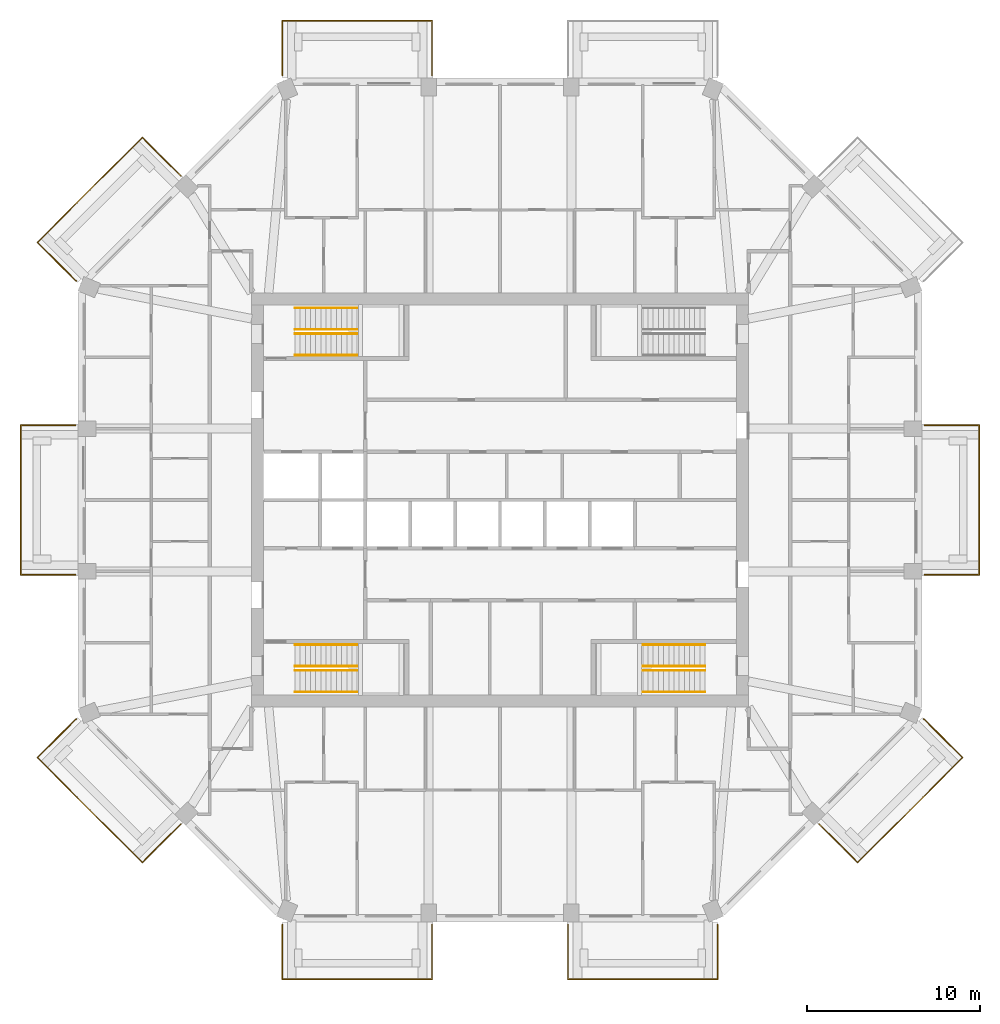
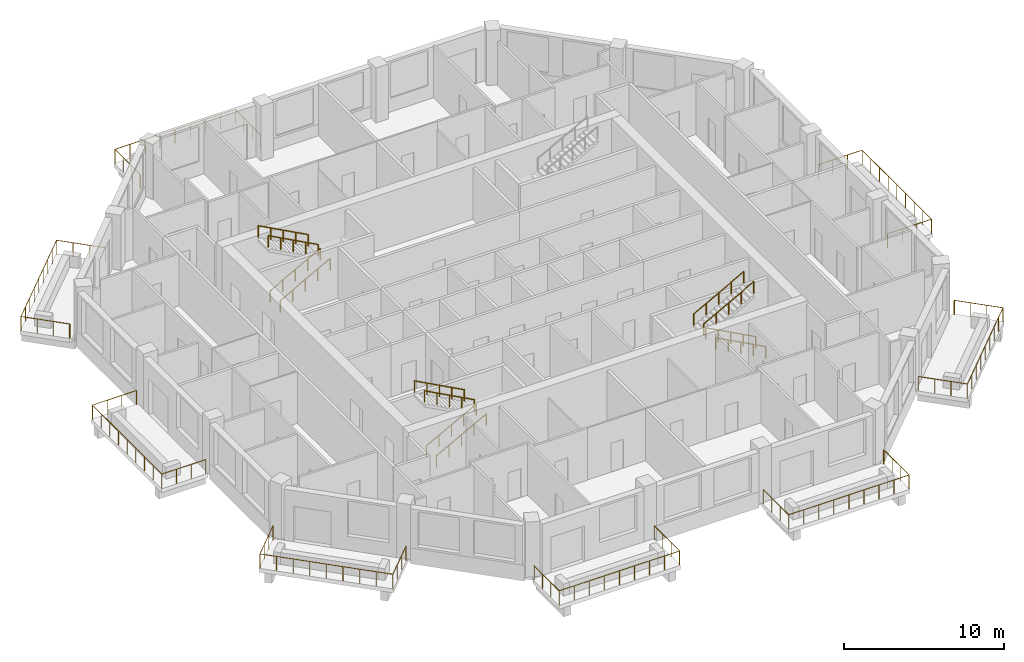
# One storey, part 11 of 12: 20 railings.
"""IFC4 building model written with IfcOpenShell, lengths in metres."""

from ifc_helpers import new_model, si_unit, direction, frame, origin, origin_2d, place, context, subcontext, project, spatial, circle, extrude, material, constituent, constituent_set, type_object, element, save


model = new_model("IFC4")

# Units and contexts
model_context = context("Model", 3, precision=1e-05, world=origin(), true_north=direction((0.0, 1.0)))
body_context = subcontext(model_context, "Body", "Model", "MODEL_VIEW")
ifc_project = project(units=[si_unit("LENGTHUNIT", "METRE"), si_unit("AREAUNIT", "SQUARE_METRE"), si_unit("VOLUMEUNIT", "CUBIC_METRE"), si_unit("PLANEANGLEUNIT", "RADIAN"), si_unit("MASSUNIT", "GRAM", prefix="KILO")], contexts=[model_context])

# Site, building, storey
site_placement = place(None, origin())
site = spatial("IfcSite", under=ifc_project, at=site_placement, CompositionType="ELEMENT")
building_placement = place(site_placement, origin())
building = spatial("IfcBuilding", under=site, at=building_placement, Name="Msitu Wima Residences", CompositionType="ELEMENT")
storey_placement = place(building_placement, frame((0.0, 0.0, 179.10009765625)))
storey = spatial("IfcBuildingStorey", under=building, at=storey_placement, Name="L41", CompositionType="ELEMENT", Elevation=179.10009765625)

# Railings
ifc_material_1 = material(Name="Steel S355", Category="steel")
ifc_constituent_1 = constituent(ifc_material_1, Name="Steel S355")
ifc_material_2 = material(Name="Weathering patina")
ifc_constituent_2 = constituent(ifc_material_2, Name="Weathering patina")
ifc_constituent_set_1 = constituent_set(constituents=[ifc_constituent_1, ifc_constituent_2], Name="Steel S355")
railing_type_1 = type_object("IfcRailingType", Name="Balcony guard GR1100", PredefinedType="GUARDRAIL", material=ifc_constituent_set_1)
railing_1_placement = place(storey_placement, frame((24.580078125, 4.337158203125, 0.0)))
element("IfcRailing", 1, at=railing_1_placement, inside=storey, type_object=railing_type_1, Name="Balcony guard E1 L41", PredefinedType="GUARDRAIL", context=body_context, shape_type="SweptSolid", body=[
    extrude(circle(Radius=0.02392578125, at=origin_2d()), frame((0.0, 0.0, 1.076171875), z_axis=(1.0, 0.0, 0.0), x_axis=(0.0, 1.0, 0.0)), (0.0, 0.0, 1.0), 3.169921875),
    extrude(circle(Radius=0.02392578125, at=origin_2d()), frame((3.169921875, 0.0, 1.076171875), z_axis=(0.0, -1.0, 0.0), x_axis=(1.0, 0.0, 0.0)), (0.0, 0.0, 1.0), 8.67431640625),
    extrude(circle(Radius=0.02392578125, at=origin_2d()), frame((3.169921875, -8.67431640625, 1.076171875), z_axis=(-1.0, 0.0, 0.0), x_axis=(0.0, -1.0, 0.0)), (0.0, 0.0, 1.0), 3.169921875),
    extrude(circle(Radius=0.02099609375, at=origin_2d()), origin(), (0.0, 0.0, 1.0), 1.052001953125),
    extrude(circle(Radius=0.02099609375, at=origin_2d()), frame((1.056640625, 0.0, 0.0)), (0.0, 0.0, 1.0), 1.052001953125),
    extrude(circle(Radius=0.02099609375, at=origin_2d()), frame((2.11328125, 0.0, 0.0)), (0.0, 0.0, 1.0), 1.052001953125),
    extrude(circle(Radius=0.02099609375, at=origin_2d()), frame((3.169921875, 0.0, 0.0)), (0.0, 0.0, 1.0), 1.052001953125),
    extrude(circle(Radius=0.02099609375, at=origin_2d()), frame((3.169921875, -1.084228515625, 0.0)), (0.0, 0.0, 1.0), 1.052001953125),
    extrude(circle(Radius=0.02099609375, at=origin_2d()), frame((3.169921875, -2.16845703125, 0.0)), (0.0, 0.0, 1.0), 1.052001953125),
    extrude(circle(Radius=0.02099609375, at=origin_2d()), frame((3.169921875, -3.2529296875, 0.0)), (0.0, 0.0, 1.0), 1.052001953125),
    extrude(circle(Radius=0.02099609375, at=origin_2d()), frame((3.169921875, -4.337158203125, 0.0)), (0.0, 0.0, 1.0), 1.052001953125),
    extrude(circle(Radius=0.02099609375, at=origin_2d()), frame((3.169921875, -5.42138671875, 0.0)), (0.0, 0.0, 1.0), 1.052001953125),
    extrude(circle(Radius=0.02099609375, at=origin_2d()), frame((3.169921875, -6.505859375, 0.0)), (0.0, 0.0, 1.0), 1.052001953125),
    extrude(circle(Radius=0.02099609375, at=origin_2d()), frame((3.169921875, -7.590087890625, 0.0)), (0.0, 0.0, 1.0), 1.052001953125),
    extrude(circle(Radius=0.02099609375, at=origin_2d()), frame((3.169921875, -8.67431640625, 0.0)), (0.0, 0.0, 1.0), 1.052001953125),
    extrude(circle(Radius=0.02099609375, at=origin_2d()), frame((2.11328125, -8.67431640625, 0.0)), (0.0, 0.0, 1.0), 1.052001953125),
    extrude(circle(Radius=0.02099609375, at=origin_2d()), frame((1.056640625, -8.67431640625, 0.0)), (0.0, 0.0, 1.0), 1.052001953125),
    extrude(circle(Radius=0.02099609375, at=origin_2d()), frame((0.0, -8.67431640625, 0.0)), (0.0, 0.0, 1.0), 1.052001953125),
])
railing_2_placement = place(storey_placement, frame((-12.597900390625, 24.580078125, 0.0)))
element("IfcRailing", 2, at=railing_2_placement, inside=storey, type_object=railing_type_1, Name="Balcony guard N2 L41", PredefinedType="GUARDRAIL", context=body_context, shape_type="SweptSolid", body=[
    extrude(circle(Radius=0.02392578125, at=origin_2d()), frame((0.0, 0.0, 1.076171875), z_axis=(-0.384136806859, 0.923276184907, 0.0), x_axis=(-0.923276184907, -0.384136806859, 0.0)), (0.0, 0.0, 1.0), 0.0361328125),
    extrude(circle(Radius=0.02392578125, at=origin_2d()), frame((-0.013916015625, 0.033447265625, 1.076171875), z_axis=(0.0, 1.0, 0.0), x_axis=(-1.0, 0.0, 0.0)), (0.0, 0.0, 1.0), 3.136474609375),
    extrude(circle(Radius=0.02392578125, at=origin_2d()), frame((-0.013916015625, 3.169921875, 1.076171875), z_axis=(1.0, 0.0, 0.0), x_axis=(0.0, 1.0, 0.0)), (0.0, 0.0, 1.0), 8.674560546875),
    extrude(circle(Radius=0.02392578125, at=origin_2d()), frame((8.66064453125, 3.169921875, 1.076171875), z_axis=(0.0, -1.0, 0.0), x_axis=(1.0, 0.0, 0.0)), (0.0, 0.0, 1.0), 3.169921875),
    extrude(circle(Radius=0.02099609375, at=origin_2d()), origin(), (0.0, 0.0, 1.0), 1.052001953125),
    extrude(circle(Radius=0.02099609375, at=origin_2d()), frame((-0.013916015625, 0.033447265625, 0.0)), (0.0, 0.0, 1.0), 1.052001953125),
    extrude(circle(Radius=0.02099609375, at=origin_2d()), frame((-0.013916015625, 1.078857421875, 0.0)), (0.0, 0.0, 1.0), 1.052001953125),
    extrude(circle(Radius=0.02099609375, at=origin_2d()), frame((-0.013916015625, 2.12451171875, 0.0)), (0.0, 0.0, 1.0), 1.052001953125),
    extrude(circle(Radius=0.02099609375, at=origin_2d()), frame((-0.013916015625, 3.169921875, 0.0)), (0.0, 0.0, 1.0), 1.052001953125),
    extrude(circle(Radius=0.02099609375, at=origin_2d()), frame((1.0703125, 3.169921875, 0.0)), (0.0, 0.0, 1.0), 1.052001953125),
    extrude(circle(Radius=0.02099609375, at=origin_2d()), frame((2.15478515625, 3.169921875, 0.0)), (0.0, 0.0, 1.0), 1.052001953125),
    extrude(circle(Radius=0.02099609375, at=origin_2d()), frame((3.239013671875, 3.169921875, 0.0)), (0.0, 0.0, 1.0), 1.052001953125),
    extrude(circle(Radius=0.02099609375, at=origin_2d()), frame((4.3232421875, 3.169921875, 0.0)), (0.0, 0.0, 1.0), 1.052001953125),
    extrude(circle(Radius=0.02099609375, at=origin_2d()), frame((5.40771484375, 3.169921875, 0.0)), (0.0, 0.0, 1.0), 1.052001953125),
    extrude(circle(Radius=0.02099609375, at=origin_2d()), frame((6.491943359375, 3.169921875, 0.0)), (0.0, 0.0, 1.0), 1.052001953125),
    extrude(circle(Radius=0.02099609375, at=origin_2d()), frame((7.576416015625, 3.169921875, 0.0)), (0.0, 0.0, 1.0), 1.052001953125),
    extrude(circle(Radius=0.02099609375, at=origin_2d()), frame((8.66064453125, 3.169921875, 0.0)), (0.0, 0.0, 1.0), 1.052001953125),
    extrude(circle(Radius=0.02099609375, at=origin_2d()), frame((8.66064453125, 2.11328125, 0.0)), (0.0, 0.0, 1.0), 1.052001953125),
    extrude(circle(Radius=0.02099609375, at=origin_2d()), frame((8.66064453125, 1.056640625, 0.0)), (0.0, 0.0, 1.0), 1.052001953125),
    extrude(circle(Radius=0.02099609375, at=origin_2d()), frame((8.66064453125, 0.0, 0.0)), (0.0, 0.0, 1.0), 1.052001953125),
])
railing_3_placement = place(storey_placement, frame((-24.541748046875, 12.690185546875, 0.0)))
element("IfcRailing", 3, at=railing_3_placement, inside=storey, type_object=railing_type_1, Name="Balcony guard NW1 L41", PredefinedType="GUARDRAIL", context=body_context, shape_type="SweptSolid", body=[
    extrude(circle(Radius=0.02392578125, at=origin_2d()), frame((0.0, 0.0, 1.076171875), z_axis=(-0.923276184907, 0.384136806859, 0.0), x_axis=(-0.384136806859, -0.923276184907, 0.0)), (0.0, 0.0, 1.0), 0.0361328125),
    extrude(circle(Radius=0.02392578125, at=origin_2d()), frame((-0.033447265625, 0.013916015625, 1.076171875), z_axis=(-0.707067861805, 0.707145698426, 0.0), x_axis=(-0.707145698426, -0.707067861805, 0.0)), (0.0, 0.0, 1.0), 3.136474609375),
    extrude(circle(Radius=0.02392578125, at=origin_2d()), frame((-2.251220703125, 2.23193359375, 1.076171875), z_axis=(0.707106781187, 0.707106781187, 0.0), x_axis=(-0.707106781187, 0.707106781187, 0.0)), (0.0, 0.0, 1.0), 8.593994140625),
    extrude(circle(Radius=0.02392578125, at=origin_2d()), frame((3.82568359375, 8.308837890625, 1.076171875), z_axis=(0.707068272989, -0.707145287287, 0.0), x_axis=(0.707145287287, 0.707068272989, 0.0)), (0.0, 0.0, 1.0), 3.170166015625),
    extrude(circle(Radius=0.02099609375, at=origin_2d()), origin(), (0.0, 0.0, 1.0), 1.052001953125),
    extrude(circle(Radius=0.02099609375, at=origin_2d()), frame((-0.033447265625, 0.013916015625, 0.0)), (0.0, 0.0, 1.0), 1.052001953125),
    extrude(circle(Radius=0.02099609375, at=origin_2d()), frame((-0.772705078125, 0.753173828125, 0.0)), (0.0, 0.0, 1.0), 1.052001953125),
    extrude(circle(Radius=0.02099609375, at=origin_2d()), frame((-1.511962890625, 1.49267578125, 0.0)), (0.0, 0.0, 1.0), 1.052001953125),
    extrude(circle(Radius=0.02099609375, at=origin_2d()), frame((-2.251220703125, 2.23193359375, 0.0)), (0.0, 0.0, 1.0), 1.052001953125),
    extrude(circle(Radius=0.02099609375, at=origin_2d()), frame((-1.49169921875, 2.991455078125, 0.0)), (0.0, 0.0, 1.0), 1.052001953125),
    extrude(circle(Radius=0.02099609375, at=origin_2d()), frame((-0.73193359375, 3.751220703125, 0.0)), (0.0, 0.0, 1.0), 1.052001953125),
    extrude(circle(Radius=0.02099609375, at=origin_2d()), frame((0.027587890625, 4.5107421875, 0.0)), (0.0, 0.0, 1.0), 1.052001953125),
    extrude(circle(Radius=0.02099609375, at=origin_2d()), frame((0.787109375, 5.2705078125, 0.0)), (0.0, 0.0, 1.0), 1.052001953125),
    extrude(circle(Radius=0.02099609375, at=origin_2d()), frame((1.546875, 6.030029296875, 0.0)), (0.0, 0.0, 1.0), 1.052001953125),
    extrude(circle(Radius=0.02099609375, at=origin_2d()), frame((2.306396484375, 6.78955078125, 0.0)), (0.0, 0.0, 1.0), 1.052001953125),
    extrude(circle(Radius=0.02099609375, at=origin_2d()), frame((3.066162109375, 7.54931640625, 0.0)), (0.0, 0.0, 1.0), 1.052001953125),
    extrude(circle(Radius=0.02099609375, at=origin_2d()), frame((3.82568359375, 8.308837890625, 0.0)), (0.0, 0.0, 1.0), 1.052001953125),
    extrude(circle(Radius=0.02099609375, at=origin_2d()), frame((4.57275390625, 7.5615234375, 0.0)), (0.0, 0.0, 1.0), 1.052001953125),
    extrude(circle(Radius=0.02099609375, at=origin_2d()), frame((5.320068359375, 6.814453125, 0.0)), (0.0, 0.0, 1.0), 1.052001953125),
    extrude(circle(Radius=0.02099609375, at=origin_2d()), frame((6.067138671875, 6.067138671875, 0.0)), (0.0, 0.0, 1.0), 1.052001953125),
])
railing_4_placement = place(storey_placement, frame((-24.580078125, -4.337158203125, 0.0)))
element("IfcRailing", 4, at=railing_4_placement, inside=storey, type_object=railing_type_1, Name="Balcony guard W1 L41", PredefinedType="GUARDRAIL", context=body_context, shape_type="SweptSolid", body=[
    extrude(circle(Radius=0.02392578125, at=origin_2d()), frame((0.0, 0.0, 1.076171875), z_axis=(-1.0, 0.0, 0.0), x_axis=(0.0, -1.0, 0.0)), (0.0, 0.0, 1.0), 3.169921875),
    extrude(circle(Radius=0.02392578125, at=origin_2d()), frame((-3.169921875, 0.0, 1.076171875), z_axis=(0.0, 1.0, 0.0), x_axis=(-1.0, 0.0, 0.0)), (0.0, 0.0, 1.0), 8.67431640625),
    extrude(circle(Radius=0.02392578125, at=origin_2d()), frame((-3.169921875, 8.67431640625, 1.076171875), z_axis=(1.0, 0.0, 0.0), x_axis=(0.0, 1.0, 0.0)), (0.0, 0.0, 1.0), 3.169921875),
    extrude(circle(Radius=0.02099609375, at=origin_2d()), origin(), (0.0, 0.0, 1.0), 1.052001953125),
    extrude(circle(Radius=0.02099609375, at=origin_2d()), frame((-1.056640625, 0.0, 0.0)), (0.0, 0.0, 1.0), 1.052001953125),
    extrude(circle(Radius=0.02099609375, at=origin_2d()), frame((-2.11328125, 0.0, 0.0)), (0.0, 0.0, 1.0), 1.052001953125),
    extrude(circle(Radius=0.02099609375, at=origin_2d()), frame((-3.169921875, 0.0, 0.0)), (0.0, 0.0, 1.0), 1.052001953125),
    extrude(circle(Radius=0.02099609375, at=origin_2d()), frame((-3.169921875, 1.084228515625, 0.0)), (0.0, 0.0, 1.0), 1.052001953125),
    extrude(circle(Radius=0.02099609375, at=origin_2d()), frame((-3.169921875, 2.16845703125, 0.0)), (0.0, 0.0, 1.0), 1.052001953125),
    extrude(circle(Radius=0.02099609375, at=origin_2d()), frame((-3.169921875, 3.2529296875, 0.0)), (0.0, 0.0, 1.0), 1.052001953125),
    extrude(circle(Radius=0.02099609375, at=origin_2d()), frame((-3.169921875, 4.337158203125, 0.0)), (0.0, 0.0, 1.0), 1.052001953125),
    extrude(circle(Radius=0.02099609375, at=origin_2d()), frame((-3.169921875, 5.42138671875, 0.0)), (0.0, 0.0, 1.0), 1.052001953125),
    extrude(circle(Radius=0.02099609375, at=origin_2d()), frame((-3.169921875, 6.505859375, 0.0)), (0.0, 0.0, 1.0), 1.052001953125),
    extrude(circle(Radius=0.02099609375, at=origin_2d()), frame((-3.169921875, 7.590087890625, 0.0)), (0.0, 0.0, 1.0), 1.052001953125),
    extrude(circle(Radius=0.02099609375, at=origin_2d()), frame((-3.169921875, 8.67431640625, 0.0)), (0.0, 0.0, 1.0), 1.052001953125),
    extrude(circle(Radius=0.02099609375, at=origin_2d()), frame((-2.11328125, 8.67431640625, 0.0)), (0.0, 0.0, 1.0), 1.052001953125),
    extrude(circle(Radius=0.02099609375, at=origin_2d()), frame((-1.056640625, 8.67431640625, 0.0)), (0.0, 0.0, 1.0), 1.052001953125),
    extrude(circle(Radius=0.02099609375, at=origin_2d()), frame((0.0, 8.67431640625, 0.0)), (0.0, 0.0, 1.0), 1.052001953125),
])
railing_5_placement = place(storey_placement, frame((-18.474609375, -18.75732421875, 0.0)))
element("IfcRailing", 5, at=railing_5_placement, inside=storey, type_object=railing_type_1, Name="Balcony guard SW0 L41", PredefinedType="GUARDRAIL", context=body_context, shape_type="SweptSolid", body=[
    extrude(circle(Radius=0.02392578125, at=origin_2d()), frame((0.0, 0.0, 1.076171875), z_axis=(-0.707068272989, -0.707145287287, 0.0), x_axis=(0.707145287287, -0.707068272989, 0.0)), (0.0, 0.0, 1.0), 3.170166015625),
    extrude(circle(Radius=0.02392578125, at=origin_2d()), frame((-2.241455078125, -2.24169921875, 1.076171875), z_axis=(-0.707106781187, 0.707106781187, 0.0), x_axis=(-0.707106781187, -0.707106781187, 0.0)), (0.0, 0.0, 1.0), 8.593994140625),
    extrude(circle(Radius=0.02392578125, at=origin_2d()), frame((-8.318359375, 3.835205078125, 1.076171875), z_axis=(0.707067861805, 0.707145698426, 0.0), x_axis=(-0.707145698426, 0.707067861805, 0.0)), (0.0, 0.0, 1.0), 3.136474609375),
    extrude(circle(Radius=0.02392578125, at=origin_2d()), frame((-6.1005859375, 6.05322265625, 1.076171875), z_axis=(0.923276184907, 0.384136806859, 0.0), x_axis=(-0.384136806859, 0.923276184907, 0.0)), (0.0, 0.0, 1.0), 0.0361328125),
    extrude(circle(Radius=0.02099609375, at=origin_2d()), origin(), (0.0, 0.0, 1.0), 1.052001953125),
    extrude(circle(Radius=0.02099609375, at=origin_2d()), frame((-0.7470703125, -0.747314453125, 0.0)), (0.0, 0.0, 1.0), 1.052001953125),
    extrude(circle(Radius=0.02099609375, at=origin_2d()), frame((-1.494384765625, -1.494384765625, 0.0)), (0.0, 0.0, 1.0), 1.052001953125),
    extrude(circle(Radius=0.02099609375, at=origin_2d()), frame((-2.241455078125, -2.24169921875, 0.0)), (0.0, 0.0, 1.0), 1.052001953125),
    extrude(circle(Radius=0.02099609375, at=origin_2d()), frame((-3.0009765625, -1.482177734375, 0.0)), (0.0, 0.0, 1.0), 1.052001953125),
    extrude(circle(Radius=0.02099609375, at=origin_2d()), frame((-3.7607421875, -0.722412109375, 0.0)), (0.0, 0.0, 1.0), 1.052001953125),
    extrude(circle(Radius=0.02099609375, at=origin_2d()), frame((-4.520263671875, 0.037109375, 0.0)), (0.0, 0.0, 1.0), 1.052001953125),
    extrude(circle(Radius=0.02099609375, at=origin_2d()), frame((-5.27978515625, 0.796875, 0.0)), (0.0, 0.0, 1.0), 1.052001953125),
    extrude(circle(Radius=0.02099609375, at=origin_2d()), frame((-6.03955078125, 1.556396484375, 0.0)), (0.0, 0.0, 1.0), 1.052001953125),
    extrude(circle(Radius=0.02099609375, at=origin_2d()), frame((-6.799072265625, 2.31591796875, 0.0)), (0.0, 0.0, 1.0), 1.052001953125),
    extrude(circle(Radius=0.02099609375, at=origin_2d()), frame((-7.558837890625, 3.07568359375, 0.0)), (0.0, 0.0, 1.0), 1.052001953125),
    extrude(circle(Radius=0.02099609375, at=origin_2d()), frame((-8.318359375, 3.835205078125, 0.0)), (0.0, 0.0, 1.0), 1.052001953125),
    extrude(circle(Radius=0.02099609375, at=origin_2d()), frame((-7.5791015625, 4.574462890625, 0.0)), (0.0, 0.0, 1.0), 1.052001953125),
    extrude(circle(Radius=0.02099609375, at=origin_2d()), frame((-6.83984375, 5.31396484375, 0.0)), (0.0, 0.0, 1.0), 1.052001953125),
    extrude(circle(Radius=0.02099609375, at=origin_2d()), frame((-6.1005859375, 6.05322265625, 0.0)), (0.0, 0.0, 1.0), 1.052001953125),
    extrude(circle(Radius=0.02099609375, at=origin_2d()), frame((-6.067138671875, 6.067138671875, 0.0)), (0.0, 0.0, 1.0), 1.052001953125),
])
railing_6_placement = place(storey_placement, frame((-3.937255859375, -24.580078125, 0.0)))
element("IfcRailing", 6, at=railing_6_placement, inside=storey, type_object=railing_type_1, Name="Balcony guard S0 L41", PredefinedType="GUARDRAIL", context=body_context, shape_type="SweptSolid", body=[
    extrude(circle(Radius=0.02392578125, at=origin_2d()), frame((0.0, 0.0, 1.076171875), z_axis=(0.0, -1.0, 0.0), x_axis=(1.0, 0.0, 0.0)), (0.0, 0.0, 1.0), 3.169921875),
    extrude(circle(Radius=0.02392578125, at=origin_2d()), frame((0.0, -3.169921875, 1.076171875), z_axis=(-1.0, 0.0, 0.0), x_axis=(0.0, -1.0, 0.0)), (0.0, 0.0, 1.0), 8.674560546875),
    extrude(circle(Radius=0.02392578125, at=origin_2d()), frame((-8.674560546875, -3.169921875, 1.076171875), z_axis=(0.0, 1.0, 0.0), x_axis=(-1.0, 0.0, 0.0)), (0.0, 0.0, 1.0), 3.136474609375),
    extrude(circle(Radius=0.02392578125, at=origin_2d()), frame((-8.674560546875, -0.033447265625, 1.076171875), z_axis=(0.384136806859, 0.923276184907, 0.0), x_axis=(-0.923276184907, 0.384136806859, 0.0)), (0.0, 0.0, 1.0), 0.0361328125),
    extrude(circle(Radius=0.02099609375, at=origin_2d()), origin(), (0.0, 0.0, 1.0), 1.052001953125),
    extrude(circle(Radius=0.02099609375, at=origin_2d()), frame((0.0, -1.056640625, 0.0)), (0.0, 0.0, 1.0), 1.052001953125),
    extrude(circle(Radius=0.02099609375, at=origin_2d()), frame((0.0, -2.11328125, 0.0)), (0.0, 0.0, 1.0), 1.052001953125),
    extrude(circle(Radius=0.02099609375, at=origin_2d()), frame((0.0, -3.169921875, 0.0)), (0.0, 0.0, 1.0), 1.052001953125),
    extrude(circle(Radius=0.02099609375, at=origin_2d()), frame((-1.084228515625, -3.169921875, 0.0)), (0.0, 0.0, 1.0), 1.052001953125),
    extrude(circle(Radius=0.02099609375, at=origin_2d()), frame((-2.168701171875, -3.169921875, 0.0)), (0.0, 0.0, 1.0), 1.052001953125),
    extrude(circle(Radius=0.02099609375, at=origin_2d()), frame((-3.2529296875, -3.169921875, 0.0)), (0.0, 0.0, 1.0), 1.052001953125),
    extrude(circle(Radius=0.02099609375, at=origin_2d()), frame((-4.33740234375, -3.169921875, 0.0)), (0.0, 0.0, 1.0), 1.052001953125),
    extrude(circle(Radius=0.02099609375, at=origin_2d()), frame((-5.421630859375, -3.169921875, 0.0)), (0.0, 0.0, 1.0), 1.052001953125),
    extrude(circle(Radius=0.02099609375, at=origin_2d()), frame((-6.505859375, -3.169921875, 0.0)), (0.0, 0.0, 1.0), 1.052001953125),
    extrude(circle(Radius=0.02099609375, at=origin_2d()), frame((-7.59033203125, -3.169921875, 0.0)), (0.0, 0.0, 1.0), 1.052001953125),
    extrude(circle(Radius=0.02099609375, at=origin_2d()), frame((-8.674560546875, -3.169921875, 0.0)), (0.0, 0.0, 1.0), 1.052001953125),
    extrude(circle(Radius=0.02099609375, at=origin_2d()), frame((-8.674560546875, -2.12451171875, 0.0)), (0.0, 0.0, 1.0), 1.052001953125),
    extrude(circle(Radius=0.02099609375, at=origin_2d()), frame((-8.674560546875, -1.078857421875, 0.0)), (0.0, 0.0, 1.0), 1.052001953125),
    extrude(circle(Radius=0.02099609375, at=origin_2d()), frame((-8.674560546875, -0.033447265625, 0.0)), (0.0, 0.0, 1.0), 1.052001953125),
    extrude(circle(Radius=0.02099609375, at=origin_2d()), frame((-8.66064453125, 0.0, 0.0)), (0.0, 0.0, 1.0), 1.052001953125),
])
railing_7_placement = place(storey_placement, frame((12.597900390625, -24.580078125, 0.0)))
element("IfcRailing", 7, at=railing_7_placement, inside=storey, type_object=railing_type_1, Name="Balcony guard S2 L41", PredefinedType="GUARDRAIL", context=body_context, shape_type="SweptSolid", body=[
    extrude(circle(Radius=0.02392578125, at=origin_2d()), frame((0.0, 0.0, 1.076171875), z_axis=(0.384136806859, -0.923276184907, 0.0), x_axis=(0.923276184907, 0.384136806859, 0.0)), (0.0, 0.0, 1.0), 0.0361328125),
    extrude(circle(Radius=0.02392578125, at=origin_2d()), frame((0.013916015625, -0.033447265625, 1.076171875), z_axis=(0.0, -1.0, 0.0), x_axis=(1.0, 0.0, 0.0)), (0.0, 0.0, 1.0), 3.136474609375),
    extrude(circle(Radius=0.02392578125, at=origin_2d()), frame((0.013916015625, -3.169921875, 1.076171875), z_axis=(-1.0, 0.0, 0.0), x_axis=(0.0, -1.0, 0.0)), (0.0, 0.0, 1.0), 8.674560546875),
    extrude(circle(Radius=0.02392578125, at=origin_2d()), frame((-8.66064453125, -3.169921875, 1.076171875), z_axis=(0.0, 1.0, 0.0), x_axis=(-1.0, 0.0, 0.0)), (0.0, 0.0, 1.0), 3.169921875),
    extrude(circle(Radius=0.02099609375, at=origin_2d()), origin(), (0.0, 0.0, 1.0), 1.052001953125),
    extrude(circle(Radius=0.02099609375, at=origin_2d()), frame((0.013916015625, -0.033447265625, 0.0)), (0.0, 0.0, 1.0), 1.052001953125),
    extrude(circle(Radius=0.02099609375, at=origin_2d()), frame((0.013916015625, -1.078857421875, 0.0)), (0.0, 0.0, 1.0), 1.052001953125),
    extrude(circle(Radius=0.02099609375, at=origin_2d()), frame((0.013916015625, -2.12451171875, 0.0)), (0.0, 0.0, 1.0), 1.052001953125),
    extrude(circle(Radius=0.02099609375, at=origin_2d()), frame((0.013916015625, -3.169921875, 0.0)), (0.0, 0.0, 1.0), 1.052001953125),
    extrude(circle(Radius=0.02099609375, at=origin_2d()), frame((-1.0703125, -3.169921875, 0.0)), (0.0, 0.0, 1.0), 1.052001953125),
    extrude(circle(Radius=0.02099609375, at=origin_2d()), frame((-2.15478515625, -3.169921875, 0.0)), (0.0, 0.0, 1.0), 1.052001953125),
    extrude(circle(Radius=0.02099609375, at=origin_2d()), frame((-3.239013671875, -3.169921875, 0.0)), (0.0, 0.0, 1.0), 1.052001953125),
    extrude(circle(Radius=0.02099609375, at=origin_2d()), frame((-4.3232421875, -3.169921875, 0.0)), (0.0, 0.0, 1.0), 1.052001953125),
    extrude(circle(Radius=0.02099609375, at=origin_2d()), frame((-5.40771484375, -3.169921875, 0.0)), (0.0, 0.0, 1.0), 1.052001953125),
    extrude(circle(Radius=0.02099609375, at=origin_2d()), frame((-6.491943359375, -3.169921875, 0.0)), (0.0, 0.0, 1.0), 1.052001953125),
    extrude(circle(Radius=0.02099609375, at=origin_2d()), frame((-7.576416015625, -3.169921875, 0.0)), (0.0, 0.0, 1.0), 1.052001953125),
    extrude(circle(Radius=0.02099609375, at=origin_2d()), frame((-8.66064453125, -3.169921875, 0.0)), (0.0, 0.0, 1.0), 1.052001953125),
    extrude(circle(Radius=0.02099609375, at=origin_2d()), frame((-8.66064453125, -2.11328125, 0.0)), (0.0, 0.0, 1.0), 1.052001953125),
    extrude(circle(Radius=0.02099609375, at=origin_2d()), frame((-8.66064453125, -1.056640625, 0.0)), (0.0, 0.0, 1.0), 1.052001953125),
    extrude(circle(Radius=0.02099609375, at=origin_2d()), frame((-8.66064453125, 0.0, 0.0)), (0.0, 0.0, 1.0), 1.052001953125),
])
railing_8_placement = place(storey_placement, frame((24.541748046875, -12.690185546875, 0.0)))
element("IfcRailing", 8, at=railing_8_placement, inside=storey, type_object=railing_type_1, Name="Balcony guard SE1 L41", PredefinedType="GUARDRAIL", context=body_context, shape_type="SweptSolid", body=[
    extrude(circle(Radius=0.02392578125, at=origin_2d()), frame((0.0, 0.0, 1.076171875), z_axis=(0.923276184907, -0.384136806859, 0.0), x_axis=(0.384136806859, 0.923276184907, 0.0)), (0.0, 0.0, 1.0), 0.0361328125),
    extrude(circle(Radius=0.02392578125, at=origin_2d()), frame((0.033447265625, -0.013916015625, 1.076171875), z_axis=(0.707067861805, -0.707145698426, 0.0), x_axis=(0.707145698426, 0.707067861805, 0.0)), (0.0, 0.0, 1.0), 3.136474609375),
    extrude(circle(Radius=0.02392578125, at=origin_2d()), frame((2.251220703125, -2.23193359375, 1.076171875), z_axis=(-0.707106781187, -0.707106781187, 0.0), x_axis=(0.707106781187, -0.707106781187, 0.0)), (0.0, 0.0, 1.0), 8.593994140625),
    extrude(circle(Radius=0.02392578125, at=origin_2d()), frame((-3.82568359375, -8.308837890625, 1.076171875), z_axis=(-0.707068272989, 0.707145287287, 0.0), x_axis=(-0.707145287287, -0.707068272989, 0.0)), (0.0, 0.0, 1.0), 3.170166015625),
    extrude(circle(Radius=0.02099609375, at=origin_2d()), origin(), (0.0, 0.0, 1.0), 1.052001953125),
    extrude(circle(Radius=0.02099609375, at=origin_2d()), frame((0.033447265625, -0.013916015625, 0.0)), (0.0, 0.0, 1.0), 1.052001953125),
    extrude(circle(Radius=0.02099609375, at=origin_2d()), frame((0.772705078125, -0.753173828125, 0.0)), (0.0, 0.0, 1.0), 1.052001953125),
    extrude(circle(Radius=0.02099609375, at=origin_2d()), frame((1.511962890625, -1.49267578125, 0.0)), (0.0, 0.0, 1.0), 1.052001953125),
    extrude(circle(Radius=0.02099609375, at=origin_2d()), frame((2.251220703125, -2.23193359375, 0.0)), (0.0, 0.0, 1.0), 1.052001953125),
    extrude(circle(Radius=0.02099609375, at=origin_2d()), frame((1.49169921875, -2.991455078125, 0.0)), (0.0, 0.0, 1.0), 1.052001953125),
    extrude(circle(Radius=0.02099609375, at=origin_2d()), frame((0.73193359375, -3.751220703125, 0.0)), (0.0, 0.0, 1.0), 1.052001953125),
    extrude(circle(Radius=0.02099609375, at=origin_2d()), frame((-0.027587890625, -4.5107421875, 0.0)), (0.0, 0.0, 1.0), 1.052001953125),
    extrude(circle(Radius=0.02099609375, at=origin_2d()), frame((-0.787109375, -5.2705078125, 0.0)), (0.0, 0.0, 1.0), 1.052001953125),
    extrude(circle(Radius=0.02099609375, at=origin_2d()), frame((-1.546875, -6.030029296875, 0.0)), (0.0, 0.0, 1.0), 1.052001953125),
    extrude(circle(Radius=0.02099609375, at=origin_2d()), frame((-2.306396484375, -6.78955078125, 0.0)), (0.0, 0.0, 1.0), 1.052001953125),
    extrude(circle(Radius=0.02099609375, at=origin_2d()), frame((-3.066162109375, -7.54931640625, 0.0)), (0.0, 0.0, 1.0), 1.052001953125),
    extrude(circle(Radius=0.02099609375, at=origin_2d()), frame((-3.82568359375, -8.308837890625, 0.0)), (0.0, 0.0, 1.0), 1.052001953125),
    extrude(circle(Radius=0.02099609375, at=origin_2d()), frame((-4.57275390625, -7.5615234375, 0.0)), (0.0, 0.0, 1.0), 1.052001953125),
    extrude(circle(Radius=0.02099609375, at=origin_2d()), frame((-5.320068359375, -6.814453125, 0.0)), (0.0, 0.0, 1.0), 1.052001953125),
    extrude(circle(Radius=0.02099609375, at=origin_2d()), frame((-6.067138671875, -6.067138671875, 0.0)), (0.0, 0.0, 1.0), 1.052001953125),
])
ifc_constituent_3 = constituent(ifc_material_1, Name="Steel S355")
ifc_material_3 = material(Name="Black powder coating")
ifc_constituent_4 = constituent(ifc_material_3, Name="Black powder coating")
ifc_constituent_set_2 = constituent_set(constituents=[ifc_constituent_3, ifc_constituent_4], Name="Steel S355")
railing_type_2 = type_object("IfcRailingType", Name="Stair handrail HR1", PredefinedType="HANDRAIL", material=ifc_constituent_set_2)
for number, where, name in (
    (9, (-11.875, 8.375, 0.161376953125), "Stair 1 handrail"),
    (10, (-11.875, 9.625, 0.161376953125), "Stair 1 handrail"),
):
    element("IfcRailing", number, at=place(storey_placement, frame(where)), inside=storey, type_object=railing_type_2, Name=name, PredefinedType="HANDRAIL", context=body_context, shape_type="SweptSolid", body=[
        extrude(circle(Radius=0.02392578125, at=origin_2d()), frame((0.0, 0.0, 0.8759765625), z_axis=(0.880474934443, 0.0, 0.474092701714), x_axis=(0.0, 1.0, 0.0)), (0.0, 0.0, 1.0), 4.0888671875),
        extrude(circle(Radius=0.02099609375, at=origin_2d()), origin(), (0.0, 0.0, 1.0), 0.851806640625),
        extrude(circle(Radius=0.02099609375, at=origin_2d()), frame((0.89990234375, 0.0, 0.484619140625)), (0.0, 0.0, 1.0), 0.851806640625),
        extrude(circle(Radius=0.02099609375, at=origin_2d()), frame((1.800048828125, 0.0, 0.96923828125)), (0.0, 0.0, 1.0), 0.851806640625),
        extrude(circle(Radius=0.02099609375, at=origin_2d()), frame((2.7001953125, 0.0, 1.453857421875)), (0.0, 0.0, 1.0), 0.851806640625),
        extrude(circle(Radius=0.02099609375, at=origin_2d()), frame((3.60009765625, 0.0, 1.9384765625)), (0.0, 0.0, 1.0), 0.851806640625),
    ])
for number, where, name in (
    (11, (-8.27490234375, 9.875, 2.261474609375), "Stair 1 handrail"),
    (12, (-8.27490234375, 11.125, 2.261474609375), "Stair 1 handrail"),
):
    element("IfcRailing", number, at=place(storey_placement, frame(where)), inside=storey, type_object=railing_type_2, Name=name, PredefinedType="HANDRAIL", context=body_context, shape_type="SweptSolid", body=[
        extrude(circle(Radius=0.02392578125, at=origin_2d()), frame((0.0, 0.0, 0.8759765625), z_axis=(-0.880474934443, 0.0, 0.474092701714), x_axis=(0.0, -1.0, 0.0)), (0.0, 0.0, 1.0), 4.0888671875),
        extrude(circle(Radius=0.02099609375, at=origin_2d()), origin(), (0.0, 0.0, 1.0), 0.851806640625),
        extrude(circle(Radius=0.02099609375, at=origin_2d()), frame((-0.89990234375, 0.0, 0.484619140625)), (0.0, 0.0, 1.0), 0.851806640625),
        extrude(circle(Radius=0.02099609375, at=origin_2d()), frame((-1.800048828125, 0.0, 0.96923828125)), (0.0, 0.0, 1.0), 0.851806640625),
        extrude(circle(Radius=0.02099609375, at=origin_2d()), frame((-2.7001953125, 0.0, 1.453857421875)), (0.0, 0.0, 1.0), 0.851806640625),
        extrude(circle(Radius=0.02099609375, at=origin_2d()), frame((-3.60009765625, 0.0, 1.9384765625)), (0.0, 0.0, 1.0), 0.851806640625),
    ])
for number, where, name in (
    (13, (-11.875, -11.125, 0.161376953125), "Stair 2 handrail"),
    (14, (-11.875, -9.875, 0.161376953125), "Stair 2 handrail"),
):
    element("IfcRailing", number, at=place(storey_placement, frame(where)), inside=storey, type_object=railing_type_2, Name=name, PredefinedType="HANDRAIL", context=body_context, shape_type="SweptSolid", body=[
        extrude(circle(Radius=0.02392578125, at=origin_2d()), frame((0.0, 0.0, 0.8759765625), z_axis=(0.880474934443, 0.0, 0.474092701714), x_axis=(0.0, 1.0, 0.0)), (0.0, 0.0, 1.0), 4.0888671875),
        extrude(circle(Radius=0.02099609375, at=origin_2d()), origin(), (0.0, 0.0, 1.0), 0.851806640625),
        extrude(circle(Radius=0.02099609375, at=origin_2d()), frame((0.89990234375, 0.0, 0.484619140625)), (0.0, 0.0, 1.0), 0.851806640625),
        extrude(circle(Radius=0.02099609375, at=origin_2d()), frame((1.800048828125, 0.0, 0.96923828125)), (0.0, 0.0, 1.0), 0.851806640625),
        extrude(circle(Radius=0.02099609375, at=origin_2d()), frame((2.7001953125, 0.0, 1.453857421875)), (0.0, 0.0, 1.0), 0.851806640625),
        extrude(circle(Radius=0.02099609375, at=origin_2d()), frame((3.60009765625, 0.0, 1.9384765625)), (0.0, 0.0, 1.0), 0.851806640625),
    ])
for number, where, name in (
    (15, (-8.27490234375, -9.625, 2.261474609375), "Stair 2 handrail"),
    (16, (-8.27490234375, -8.375, 2.261474609375), "Stair 2 handrail"),
    (17, (11.875, -11.125, 0.161376953125), "Stair 4 handrail"),
    (18, (11.875, -9.875, 0.161376953125), "Stair 4 handrail"),
):
    element("IfcRailing", number, at=place(storey_placement, frame(where)), inside=storey, type_object=railing_type_2, Name=name, PredefinedType="HANDRAIL", context=body_context, shape_type="SweptSolid", body=[
        extrude(circle(Radius=0.02392578125, at=origin_2d()), frame((0.0, 0.0, 0.8759765625), z_axis=(-0.880474934443, 0.0, 0.474092701714), x_axis=(0.0, -1.0, 0.0)), (0.0, 0.0, 1.0), 4.0888671875),
        extrude(circle(Radius=0.02099609375, at=origin_2d()), origin(), (0.0, 0.0, 1.0), 0.851806640625),
        extrude(circle(Radius=0.02099609375, at=origin_2d()), frame((-0.89990234375, 0.0, 0.484619140625)), (0.0, 0.0, 1.0), 0.851806640625),
        extrude(circle(Radius=0.02099609375, at=origin_2d()), frame((-1.800048828125, 0.0, 0.96923828125)), (0.0, 0.0, 1.0), 0.851806640625),
        extrude(circle(Radius=0.02099609375, at=origin_2d()), frame((-2.7001953125, 0.0, 1.453857421875)), (0.0, 0.0, 1.0), 0.851806640625),
        extrude(circle(Radius=0.02099609375, at=origin_2d()), frame((-3.60009765625, 0.0, 1.9384765625)), (0.0, 0.0, 1.0), 0.851806640625),
    ])
for number, where, name in (
    (19, (8.27490234375, -9.625, 2.261474609375), "Stair 4 handrail"),
    (20, (8.27490234375, -8.375, 2.261474609375), "Stair 4 handrail"),
):
    element("IfcRailing", number, at=place(storey_placement, frame(where)), inside=storey, type_object=railing_type_2, Name=name, PredefinedType="HANDRAIL", context=body_context, shape_type="SweptSolid", body=[
        extrude(circle(Radius=0.02392578125, at=origin_2d()), frame((0.0, 0.0, 0.8759765625), z_axis=(0.880474934443, 0.0, 0.474092701714), x_axis=(0.0, 1.0, 0.0)), (0.0, 0.0, 1.0), 4.0888671875),
        extrude(circle(Radius=0.02099609375, at=origin_2d()), origin(), (0.0, 0.0, 1.0), 0.851806640625),
        extrude(circle(Radius=0.02099609375, at=origin_2d()), frame((0.89990234375, 0.0, 0.484619140625)), (0.0, 0.0, 1.0), 0.851806640625),
        extrude(circle(Radius=0.02099609375, at=origin_2d()), frame((1.800048828125, 0.0, 0.96923828125)), (0.0, 0.0, 1.0), 0.851806640625),
        extrude(circle(Radius=0.02099609375, at=origin_2d()), frame((2.7001953125, 0.0, 1.453857421875)), (0.0, 0.0, 1.0), 0.851806640625),
        extrude(circle(Radius=0.02099609375, at=origin_2d()), frame((3.60009765625, 0.0, 1.9384765625)), (0.0, 0.0, 1.0), 0.851806640625),
    ])

save(model, "model.ifc")
